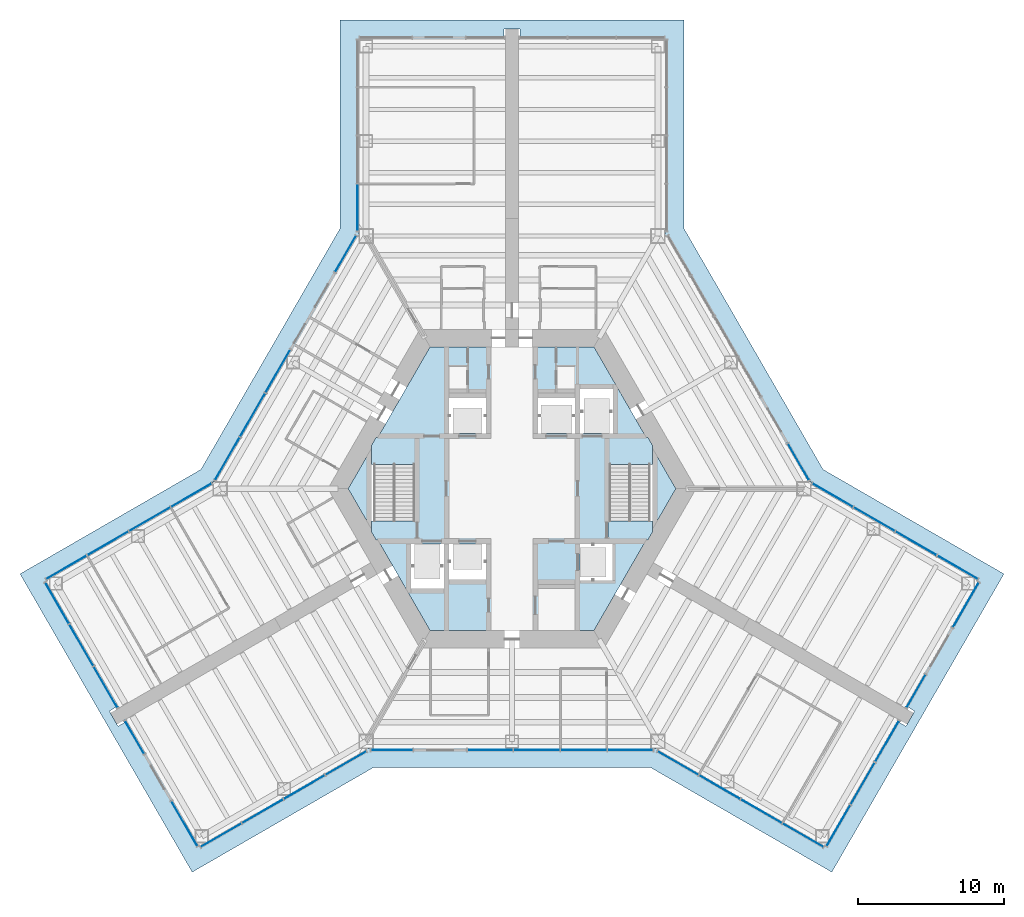
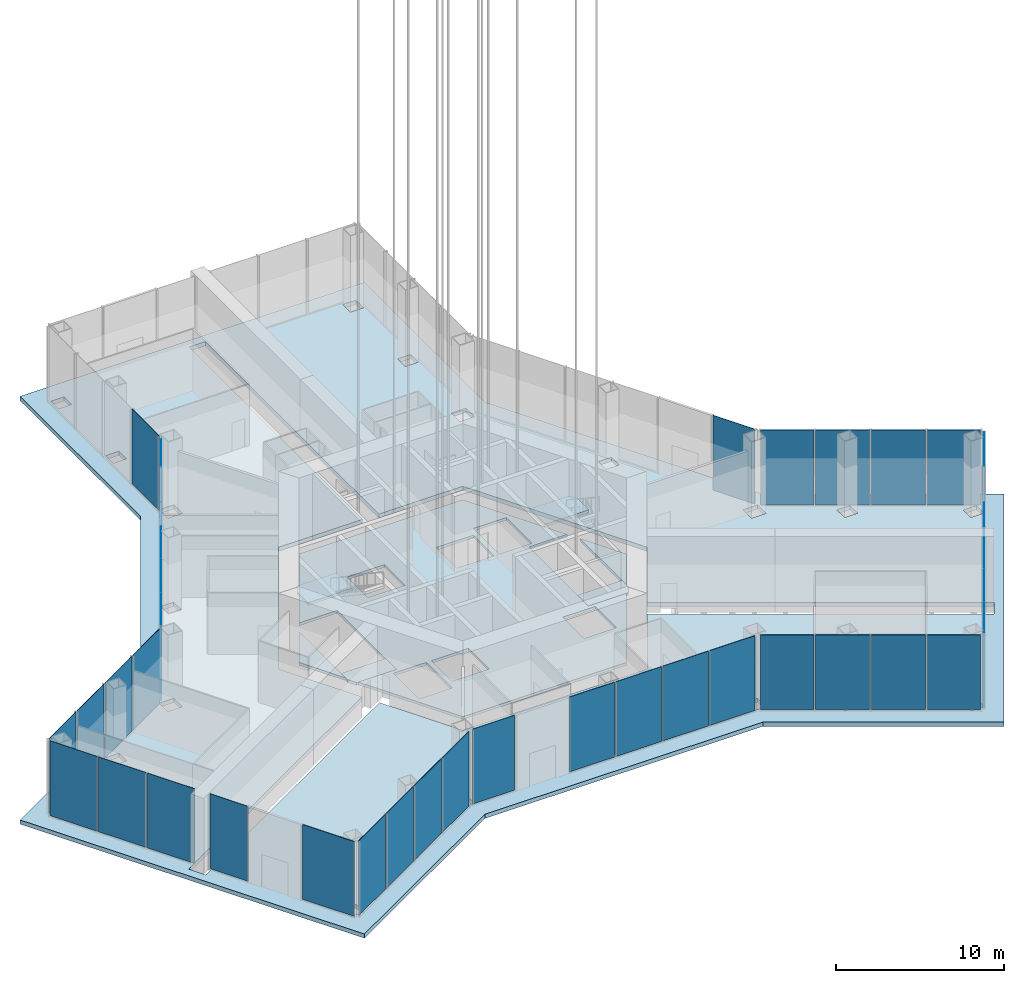
# One storey, part 8 of 18: 37 plates, 8 slabs, 18 elements without a shape of their own.
"""IFC4 building model written with IfcOpenShell, lengths in metres."""

from ifc_helpers import new_model, si_unit, direction, frame, origin, origin_2d, place, context, subcontext, project, spatial, polyline, rectangle, outline, extrude, material, layer, layer_set, type_object, element, aggregate, save


model = new_model("IFC4")

# Units and contexts
model_context = context("Model", 3, precision=1e-05, world=origin(), true_north=direction((0.0, 1.0)))
body_context = subcontext(model_context, "Body", "Model", "MODEL_VIEW")
ifc_project = project(units=[si_unit("LENGTHUNIT", "METRE"), si_unit("AREAUNIT", "SQUARE_METRE"), si_unit("VOLUMEUNIT", "CUBIC_METRE"), si_unit("PLANEANGLEUNIT", "RADIAN"), si_unit("MASSUNIT", "GRAM", prefix="KILO")], contexts=[model_context])

# Site, building, storey
site_placement = place(None, origin())
site = spatial("IfcSite", under=ifc_project, at=site_placement, CompositionType="ELEMENT")
building_placement = place(site_placement, origin())
building = spatial("IfcBuilding", under=site, at=building_placement, Name="Kasaneha Research Tower", CompositionType="ELEMENT")
storey_placement = place(building_placement, origin())
storey = spatial("IfcBuildingStorey", under=building, at=storey_placement, Name="L01", CompositionType="ELEMENT", Elevation=0.0)

# Curtain wall, plates
ifc_material_1 = material(Name="Glass and aluminium", Category="aluminium")
curtain_wall_type = type_object("IfcCurtainWallType", Name="Entrance hall curtain wall", PredefinedType="USERDEFINED", material=ifc_material_1)
curtain_wall_1_placement = place(storey_placement, origin())
curtain_wall_1 = element("IfcCurtainWall", 1, at=curtain_wall_1_placement, inside=storey, type_object=curtain_wall_type, Name="CW-H L01 run 01a", ObjectType="UNITISED CURTAIN WALL", PredefinedType="USERDEFINED")
ifc_material_2 = material(Name="Laminated double glazing", Category="glass")
ifc_layer_1 = layer(ifc_material_2, 0.031982421875)
ifc_layer_set_1 = layer_set([ifc_layer_1], Name="CW-H glazed panel")
plate_type = type_object("IfcPlateType", Name="CW-H glazed panel", PredefinedType="CURTAIN_PANEL", material=ifc_layer_set_1)
plate_1_placement = place(storey_placement, frame((-19.94091796875, -23.752685546875, 0.080078125), z_axis=(0.0, 0.0, 1.0), x_axis=(0.866025411464, 0.499999986699, 0.0)))
plate_1 = element("IfcPlate", 2, at=plate_1_placement, type_object=plate_type, Name="CW-H panel 1", PredefinedType="CURTAIN_PANEL", context=body_context, shape_type="SweptSolid", body=[
    extrude(rectangle(XDim=3.189697265625, YDim=0.031982421875, at=origin_2d()), origin(), (0.0, 0.0, 1.0), 5.419921875),
])
plate_2_placement = place(storey_placement, frame((-17.091796875, -22.107666015625, 0.080078125), z_axis=(0.0, 0.0, 1.0), x_axis=(0.866025411464, 0.499999986699, 0.0)))
plate_2 = element("IfcPlate", 3, at=plate_2_placement, type_object=plate_type, Name="CW-H panel 2", PredefinedType="CURTAIN_PANEL", context=body_context, shape_type="SweptSolid", body=[
    extrude(rectangle(XDim=3.229736328125, YDim=0.031982421875, at=origin_2d()), origin(), (0.0, 0.0, 1.0), 5.419921875),
])
plate_3_placement = place(storey_placement, frame((-14.225341796875, -20.452880859375, 0.080078125), z_axis=(0.0, 0.0, 1.0), x_axis=(0.866025411464, 0.499999986699, 0.0)))
plate_3 = element("IfcPlate", 4, at=plate_3_placement, type_object=plate_type, Name="CW-H panel 3", PredefinedType="CURTAIN_PANEL", context=body_context, shape_type="SweptSolid", body=[
    extrude(rectangle(XDim=3.229736328125, YDim=0.031982421875, at=origin_2d()), origin(), (0.0, 0.0, 1.0), 5.419921875),
])
plate_4_placement = place(storey_placement, frame((-11.376220703125, -18.807861328125, 0.080078125), z_axis=(0.0, 0.0, 1.0), x_axis=(0.866025411464, 0.499999986699, 0.0)))
plate_4 = element("IfcPlate", 5, at=plate_4_placement, type_object=plate_type, Name="CW-H panel 4", PredefinedType="CURTAIN_PANEL", context=body_context, shape_type="SweptSolid", body=[
    extrude(rectangle(XDim=3.189697265625, YDim=0.031982421875, at=origin_2d()), origin(), (0.0, 0.0, 1.0), 5.419921875),
])
aggregate(curtain_wall_1, [plate_1, plate_2, plate_3, plate_4])

# Curtain wall, plate
curtain_wall_2_placement = place(storey_placement, origin())
curtain_wall_2 = element("IfcCurtainWall", 6, at=curtain_wall_2_placement, inside=storey, type_object=curtain_wall_type, Name="CW-H L01 run 02a", ObjectType="UNITISED CURTAIN WALL", PredefinedType="USERDEFINED")
plate_5_placement = place(storey_placement, frame((-8.2294921875, -17.92041015625, 0.080078125), z_axis=(0.0, 0.0, 1.0), x_axis=(1.0, 0.0, 0.0)))
plate_5 = element("IfcPlate", 7, at=plate_5_placement, type_object=plate_type, Name="CW-H panel 1", PredefinedType="CURTAIN_PANEL", context=body_context, shape_type="SweptSolid", body=[
    extrude(rectangle(XDim=2.859619140625, YDim=0.031982421875, at=origin_2d()), origin(), (0.0, 0.0, 1.0), 5.419921875),
])
aggregate(curtain_wall_2, [plate_5])

# Curtain wall, plates
curtain_wall_3_placement = place(storey_placement, origin())
curtain_wall_3 = element("IfcCurtainWall", 8, at=curtain_wall_3_placement, inside=storey, type_object=curtain_wall_type, Name="CW-H L01 run 02c", ObjectType="UNITISED CURTAIN WALL", PredefinedType="USERDEFINED")
plate_6_placement = place(storey_placement, frame((-1.4921875, -17.92041015625, 0.080078125), z_axis=(0.0, 0.0, 1.0), x_axis=(1.0, 0.0, 0.0)))
plate_6 = element("IfcPlate", 9, at=plate_6_placement, type_object=plate_type, Name="CW-H panel 1", PredefinedType="CURTAIN_PANEL", context=body_context, shape_type="SweptSolid", body=[
    extrude(rectangle(XDim=3.0947265625, YDim=0.031982421875, at=origin_2d()), origin(), (0.0, 0.0, 1.0), 5.419921875),
])
plate_7_placement = place(storey_placement, frame((1.702392578125, -17.92041015625, 0.080078125), z_axis=(0.0, 0.0, 1.0), x_axis=(1.0, 0.0, 0.0)))
plate_7 = element("IfcPlate", 10, at=plate_7_placement, type_object=plate_type, Name="CW-H panel 2", PredefinedType="CURTAIN_PANEL", context=body_context, shape_type="SweptSolid", body=[
    extrude(rectangle(XDim=3.134765625, YDim=0.031982421875, at=origin_2d()), origin(), (0.0, 0.0, 1.0), 5.419921875),
])
plate_8_placement = place(storey_placement, frame((4.917236328125, -17.92041015625, 0.080078125), z_axis=(0.0, 0.0, 1.0), x_axis=(1.0, 0.0, 0.0)))
plate_8 = element("IfcPlate", 11, at=plate_8_placement, type_object=plate_type, Name="CW-H panel 3", PredefinedType="CURTAIN_PANEL", context=body_context, shape_type="SweptSolid", body=[
    extrude(rectangle(XDim=3.134765625, YDim=0.031982421875, at=origin_2d()), origin(), (0.0, 0.0, 1.0), 5.419921875),
])
plate_9_placement = place(storey_placement, frame((8.11181640625, -17.92041015625, 0.080078125), z_axis=(0.0, 0.0, 1.0), x_axis=(1.0, 0.0, 0.0)))
plate_9 = element("IfcPlate", 12, at=plate_9_placement, type_object=plate_type, Name="CW-H panel 4", PredefinedType="CURTAIN_PANEL", context=body_context, shape_type="SweptSolid", body=[
    extrude(rectangle(XDim=3.0947265625, YDim=0.031982421875, at=origin_2d()), origin(), (0.0, 0.0, 1.0), 5.419921875),
])
aggregate(curtain_wall_3, [plate_6, plate_7, plate_8, plate_9])

curtain_wall_4_placement = place(storey_placement, origin())
curtain_wall_4 = element("IfcCurtainWall", 13, at=curtain_wall_4_placement, inside=storey, type_object=curtain_wall_type, Name="CW-H L01 run 03a", ObjectType="UNITISED CURTAIN WALL", PredefinedType="USERDEFINED")
plate_10_placement = place(storey_placement, frame((11.376220703125, -18.807861328125, 0.080078125), z_axis=(0.0, 0.0, 1.0), x_axis=(0.866025411464, -0.499999986699, 0.0)))
plate_10 = element("IfcPlate", 14, at=plate_10_placement, type_object=plate_type, Name="CW-H panel 1", PredefinedType="CURTAIN_PANEL", context=body_context, shape_type="SweptSolid", body=[
    extrude(rectangle(XDim=3.189697265625, YDim=0.031982421875, at=origin_2d()), origin(), (0.0, 0.0, 1.0), 5.419921875),
])
plate_11_placement = place(storey_placement, frame((14.225341796875, -20.452880859375, 0.080078125), z_axis=(0.0, 0.0, 1.0), x_axis=(0.866025411464, -0.499999986699, 0.0)))
plate_11 = element("IfcPlate", 15, at=plate_11_placement, type_object=plate_type, Name="CW-H panel 2", PredefinedType="CURTAIN_PANEL", context=body_context, shape_type="SweptSolid", body=[
    extrude(rectangle(XDim=3.229736328125, YDim=0.031982421875, at=origin_2d()), origin(), (0.0, 0.0, 1.0), 5.419921875),
])
plate_12_placement = place(storey_placement, frame((17.091796875, -22.107666015625, 0.080078125), z_axis=(0.0, 0.0, 1.0), x_axis=(0.866025411464, -0.499999986699, 0.0)))
plate_12 = element("IfcPlate", 16, at=plate_12_placement, type_object=plate_type, Name="CW-H panel 3", PredefinedType="CURTAIN_PANEL", context=body_context, shape_type="SweptSolid", body=[
    extrude(rectangle(XDim=3.229736328125, YDim=0.031982421875, at=origin_2d()), origin(), (0.0, 0.0, 1.0), 5.419921875),
])
plate_13_placement = place(storey_placement, frame((19.94091796875, -23.752685546875, 0.080078125), z_axis=(0.0, 0.0, 1.0), x_axis=(0.866025411464, -0.499999986699, 0.0)))
plate_13 = element("IfcPlate", 17, at=plate_13_placement, type_object=plate_type, Name="CW-H panel 4", PredefinedType="CURTAIN_PANEL", context=body_context, shape_type="SweptSolid", body=[
    extrude(rectangle(XDim=3.189697265625, YDim=0.031982421875, at=origin_2d()), origin(), (0.0, 0.0, 1.0), 5.419921875),
])
aggregate(curtain_wall_4, [plate_10, plate_11, plate_12, plate_13])

curtain_wall_5_placement = place(storey_placement, origin())
curtain_wall_5 = element("IfcCurtainWall", 18, at=curtain_wall_5_placement, inside=storey, type_object=curtain_wall_type, Name="CW-H L01 run 04a", ObjectType="UNITISED CURTAIN WALL", PredefinedType="USERDEFINED")
plate_14_placement = place(storey_placement, frame((22.37548828125, -23.085693359375, 0.080078125), z_axis=(0.0, 0.0, 1.0), x_axis=(0.500000011442, 0.866025397178, 0.0)))
plate_14 = element("IfcPlate", 19, at=plate_14_placement, type_object=plate_type, Name="CW-H panel 1", PredefinedType="CURTAIN_PANEL", context=body_context, shape_type="SweptSolid", body=[
    extrude(rectangle(XDim=3.22998046875, YDim=0.031982421875, at=origin_2d()), origin(), (0.0, 0.0, 1.0), 5.419921875),
])
plate_15_placement = place(storey_placement, frame((24.04052734375, -20.20166015625, 0.080078125), z_axis=(0.0, 0.0, 1.0), x_axis=(0.500000011442, 0.866025397178, 0.0)))
plate_15 = element("IfcPlate", 20, at=plate_15_placement, type_object=plate_type, Name="CW-H panel 2", PredefinedType="CURTAIN_PANEL", context=body_context, shape_type="SweptSolid", body=[
    extrude(rectangle(XDim=3.27001953125, YDim=0.031982421875, at=origin_2d()), origin(), (0.0, 0.0, 1.0), 5.419921875),
])
plate_16_placement = place(storey_placement, frame((25.70556640625, -17.31787109375, 0.080078125), z_axis=(0.0, 0.0, 1.0), x_axis=(0.500000011442, 0.866025397178, 0.0)))
plate_16 = element("IfcPlate", 21, at=plate_16_placement, type_object=plate_type, Name="CW-H panel 3", PredefinedType="CURTAIN_PANEL", context=body_context, shape_type="SweptSolid", body=[
    extrude(rectangle(XDim=3.22998046875, YDim=0.031982421875, at=origin_2d()), origin(), (0.0, 0.0, 1.0), 5.419921875),
])
aggregate(curtain_wall_5, [plate_14, plate_15, plate_16])

# Curtain wall, plate
curtain_wall_6_placement = place(storey_placement, origin())
curtain_wall_6 = element("IfcCurtainWall", 22, at=curtain_wall_6_placement, inside=storey, type_object=curtain_wall_type, Name="CW-H L01 run 05a", ObjectType="UNITISED CURTAIN WALL", PredefinedType="USERDEFINED")
plate_17_placement = place(storey_placement, frame((27.6904296875, -13.879638671875, 0.080078125), z_axis=(0.0, 0.0, 1.0), x_axis=(0.500000011442, 0.866025397178, 0.0)))
plate_17 = element("IfcPlate", 23, at=plate_17_placement, type_object=plate_type, Name="CW-H panel 1", PredefinedType="CURTAIN_PANEL", context=body_context, shape_type="SweptSolid", body=[
    extrude(rectangle(XDim=2.590087890625, YDim=0.031982421875, at=origin_2d()), origin(), (0.0, 0.0, 1.0), 5.419921875),
])
aggregate(curtain_wall_6, [plate_17])

curtain_wall_7_placement = place(storey_placement, origin())
curtain_wall_7 = element("IfcCurtainWall", 24, at=curtain_wall_7_placement, inside=storey, type_object=curtain_wall_type, Name="CW-H L01 run 05c", ObjectType="UNITISED CURTAIN WALL", PredefinedType="USERDEFINED")
plate_18_placement = place(storey_placement, frame((31.10302734375, -7.96923828125, 0.080078125), z_axis=(0.0, 0.0, 1.0), x_axis=(0.500000011442, 0.866025397178, 0.0)))
plate_18 = element("IfcPlate", 25, at=plate_18_placement, type_object=plate_type, Name="CW-H panel 1", PredefinedType="CURTAIN_PANEL", context=body_context, shape_type="SweptSolid", body=[
    extrude(rectangle(XDim=3.5400390625, YDim=0.031982421875, at=origin_2d()), origin(), (0.0, 0.0, 1.0), 5.419921875),
])
aggregate(curtain_wall_7, [plate_18])

# Curtain wall, plates
curtain_wall_8_placement = place(storey_placement, origin())
curtain_wall_8 = element("IfcCurtainWall", 26, at=curtain_wall_8_placement, inside=storey, type_object=curtain_wall_type, Name="CW-H L01 run 06a", ObjectType="UNITISED CURTAIN WALL", PredefinedType="USERDEFINED")
plate_19_placement = place(storey_placement, frame((30.540771484375, -5.392822265625, 0.080078125), z_axis=(0.0, 0.0, 1.0), x_axis=(-0.866025411464, 0.499999986699, 0.0)))
plate_19 = element("IfcPlate", 27, at=plate_19_placement, type_object=plate_type, Name="CW-H panel 1", PredefinedType="CURTAIN_PANEL", context=body_context, shape_type="SweptSolid", body=[
    extrude(rectangle(XDim=3.189697265625, YDim=0.031982421875, at=origin_2d()), origin(), (0.0, 0.0, 1.0), 5.419921875),
])
plate_20_placement = place(storey_placement, frame((27.69189453125, -3.748046875, 0.080078125), z_axis=(0.0, 0.0, 1.0), x_axis=(-0.866025411464, 0.499999986699, 0.0)))
plate_20 = element("IfcPlate", 28, at=plate_20_placement, type_object=plate_type, Name="CW-H panel 2", PredefinedType="CURTAIN_PANEL", context=body_context, shape_type="SweptSolid", body=[
    extrude(rectangle(XDim=3.229736328125, YDim=0.031982421875, at=origin_2d()), origin(), (0.0, 0.0, 1.0), 5.419921875),
])
plate_21_placement = place(storey_placement, frame((24.825439453125, -2.093017578125, 0.080078125), z_axis=(0.0, 0.0, 1.0), x_axis=(-0.866025411464, 0.499999986699, 0.0)))
plate_21 = element("IfcPlate", 29, at=plate_21_placement, type_object=plate_type, Name="CW-H panel 3", PredefinedType="CURTAIN_PANEL", context=body_context, shape_type="SweptSolid", body=[
    extrude(rectangle(XDim=3.229736328125, YDim=0.031982421875, at=origin_2d()), origin(), (0.0, 0.0, 1.0), 5.419921875),
])
plate_22_placement = place(storey_placement, frame((21.976318359375, -0.4482421875, 0.080078125), z_axis=(0.0, 0.0, 1.0), x_axis=(-0.866025411464, 0.499999986699, 0.0)))
plate_22 = element("IfcPlate", 30, at=plate_22_placement, type_object=plate_type, Name="CW-H panel 4", PredefinedType="CURTAIN_PANEL", context=body_context, shape_type="SweptSolid", body=[
    extrude(rectangle(XDim=3.189697265625, YDim=0.031982421875, at=origin_2d()), origin(), (0.0, 0.0, 1.0), 5.419921875),
])
aggregate(curtain_wall_8, [plate_19, plate_20, plate_21, plate_22])

# Curtain wall, plate
curtain_wall_9_placement = place(storey_placement, origin())
curtain_wall_9 = element("IfcCurtainWall", 31, at=curtain_wall_9_placement, inside=storey, type_object=curtain_wall_type, Name="CW-H L01 run 07a", ObjectType="UNITISED CURTAIN WALL", PredefinedType="USERDEFINED")
plate_23_placement = place(storey_placement, frame((19.63427734375, 1.833251953125, 0.080078125), z_axis=(0.0, 0.0, 1.0), x_axis=(-0.49999996188, 0.866025425793, 0.0)))
plate_23 = element("IfcPlate", 32, at=plate_23_placement, type_object=plate_type, Name="CW-H panel 1", PredefinedType="CURTAIN_PANEL", context=body_context, shape_type="SweptSolid", body=[
    extrude(rectangle(XDim=2.859619140625, YDim=0.031982421875, at=origin_2d()), origin(), (0.0, 0.0, 1.0), 5.419921875),
])
aggregate(curtain_wall_9, [plate_23])

curtain_wall_10_placement = place(storey_placement, origin())
curtain_wall_10 = element("IfcCurtainWall", 33, at=curtain_wall_10_placement, inside=storey, type_object=curtain_wall_type, Name="CW-H L01 run 11a", ObjectType="UNITISED CURTAIN WALL", PredefinedType="USERDEFINED")
plate_24_placement = place(storey_placement, frame((-10.60009765625, 19.256103515625, 0.080078125), z_axis=(0.0, 0.0, 1.0), x_axis=(0.0, -1.0, 0.0)))
plate_24 = element("IfcPlate", 34, at=plate_24_placement, type_object=plate_type, Name="CW-H panel 4", PredefinedType="CURTAIN_PANEL", context=body_context, shape_type="SweptSolid", body=[
    extrude(rectangle(XDim=3.189697265625, YDim=0.031982421875, at=origin_2d()), origin(), (0.0, 0.0, 1.0), 5.419921875),
])
aggregate(curtain_wall_10, [plate_24])

curtain_wall_11_placement = place(storey_placement, origin())
curtain_wall_11 = element("IfcCurtainWall", 35, at=curtain_wall_11_placement, inside=storey, type_object=curtain_wall_type, Name="CW-H L01 run 12a", ObjectType="UNITISED CURTAIN WALL", PredefinedType="USERDEFINED")
plate_25_placement = place(storey_placement, frame((-11.40478515625, 16.087158203125, 0.080078125), z_axis=(0.0, 0.0, 1.0), x_axis=(-0.49999996188, -0.866025425793, 0.0)))
plate_25 = element("IfcPlate", 36, at=plate_25_placement, type_object=plate_type, Name="CW-H panel 1", PredefinedType="CURTAIN_PANEL", context=body_context, shape_type="SweptSolid", body=[
    extrude(rectangle(XDim=2.859619140625, YDim=0.031982421875, at=origin_2d()), origin(), (0.0, 0.0, 1.0), 5.419921875),
])
aggregate(curtain_wall_11, [plate_25])

# Curtain wall, plates
curtain_wall_12_placement = place(storey_placement, origin())
curtain_wall_12 = element("IfcCurtainWall", 37, at=curtain_wall_12_placement, inside=storey, type_object=curtain_wall_type, Name="CW-H L01 run 12d", ObjectType="UNITISED CURTAIN WALL", PredefinedType="USERDEFINED")
plate_26_placement = place(storey_placement, frame((-16.041259765625, 8.056884765625, 0.080078125), z_axis=(0.0, 0.0, 1.0), x_axis=(-0.49999996188, -0.866025425793, 0.0)))
plate_26 = element("IfcPlate", 38, at=plate_26_placement, type_object=plate_type, Name="CW-H panel 1", PredefinedType="CURTAIN_PANEL", context=body_context, shape_type="SweptSolid", body=[
    extrude(rectangle(XDim=3.366455078125, YDim=0.031982421875, at=origin_2d()), origin(), (0.0, 0.0, 1.0), 5.419921875),
])
plate_27_placement = place(storey_placement, frame((-17.7744140625, 5.054931640625, 0.080078125), z_axis=(0.0, 0.0, 1.0), x_axis=(-0.49999996188, -0.866025425793, 0.0)))
plate_27 = element("IfcPlate", 39, at=plate_27_placement, type_object=plate_type, Name="CW-H panel 2", PredefinedType="CURTAIN_PANEL", context=body_context, shape_type="SweptSolid", body=[
    extrude(rectangle(XDim=3.406494140625, YDim=0.031982421875, at=origin_2d()), origin(), (0.0, 0.0, 1.0), 5.419921875),
])
plate_28_placement = place(storey_placement, frame((-19.507568359375, 2.052734375, 0.080078125), z_axis=(0.0, 0.0, 1.0), x_axis=(-0.49999996188, -0.866025425793, 0.0)))
plate_28 = element("IfcPlate", 40, at=plate_28_placement, type_object=plate_type, Name="CW-H panel 3", PredefinedType="CURTAIN_PANEL", context=body_context, shape_type="SweptSolid", body=[
    extrude(rectangle(XDim=3.366455078125, YDim=0.031982421875, at=origin_2d()), origin(), (0.0, 0.0, 1.0), 5.419921875),
])
aggregate(curtain_wall_12, [plate_26, plate_27, plate_28])

curtain_wall_13_placement = place(storey_placement, origin())
curtain_wall_13 = element("IfcCurtainWall", 41, at=curtain_wall_13_placement, inside=storey, type_object=curtain_wall_type, Name="CW-H L01 run 13a", ObjectType="UNITISED CURTAIN WALL", PredefinedType="USERDEFINED")
plate_29_placement = place(storey_placement, frame((-21.976318359375, -0.4482421875, 0.080078125), z_axis=(0.0, 0.0, 1.0), x_axis=(-0.866025411464, -0.499999986699, 0.0)))
plate_29 = element("IfcPlate", 42, at=plate_29_placement, type_object=plate_type, Name="CW-H panel 1", PredefinedType="CURTAIN_PANEL", context=body_context, shape_type="SweptSolid", body=[
    extrude(rectangle(XDim=3.189697265625, YDim=0.031982421875, at=origin_2d()), origin(), (0.0, 0.0, 1.0), 5.419921875),
])
plate_30_placement = place(storey_placement, frame((-24.825439453125, -2.093017578125, 0.080078125), z_axis=(0.0, 0.0, 1.0), x_axis=(-0.866025411464, -0.499999986699, 0.0)))
plate_30 = element("IfcPlate", 43, at=plate_30_placement, type_object=plate_type, Name="CW-H panel 2", PredefinedType="CURTAIN_PANEL", context=body_context, shape_type="SweptSolid", body=[
    extrude(rectangle(XDim=3.229736328125, YDim=0.031982421875, at=origin_2d()), origin(), (0.0, 0.0, 1.0), 5.419921875),
])
plate_31_placement = place(storey_placement, frame((-27.69189453125, -3.748046875, 0.080078125), z_axis=(0.0, 0.0, 1.0), x_axis=(-0.866025411464, -0.499999986699, 0.0)))
plate_31 = element("IfcPlate", 44, at=plate_31_placement, type_object=plate_type, Name="CW-H panel 3", PredefinedType="CURTAIN_PANEL", context=body_context, shape_type="SweptSolid", body=[
    extrude(rectangle(XDim=3.229736328125, YDim=0.031982421875, at=origin_2d()), origin(), (0.0, 0.0, 1.0), 5.419921875),
])
plate_32_placement = place(storey_placement, frame((-30.540771484375, -5.392822265625, 0.080078125), z_axis=(0.0, 0.0, 1.0), x_axis=(-0.866025411464, -0.499999986699, 0.0)))
plate_32 = element("IfcPlate", 45, at=plate_32_placement, type_object=plate_type, Name="CW-H panel 4", PredefinedType="CURTAIN_PANEL", context=body_context, shape_type="SweptSolid", body=[
    extrude(rectangle(XDim=3.189697265625, YDim=0.031982421875, at=origin_2d()), origin(), (0.0, 0.0, 1.0), 5.419921875),
])
aggregate(curtain_wall_13, [plate_29, plate_30, plate_31, plate_32])

curtain_wall_14_placement = place(storey_placement, origin())
curtain_wall_14 = element("IfcCurtainWall", 46, at=curtain_wall_14_placement, inside=storey, type_object=curtain_wall_type, Name="CW-H L01 run 14a", ObjectType="UNITISED CURTAIN WALL", PredefinedType="USERDEFINED")
plate_33_placement = place(storey_placement, frame((-31.180419921875, -7.8349609375, 0.080078125), z_axis=(0.0, 0.0, 1.0), x_axis=(0.500000011442, -0.866025397178, 0.0)))
plate_33 = element("IfcPlate", 47, at=plate_33_placement, type_object=plate_type, Name="CW-H panel 1", PredefinedType="CURTAIN_PANEL", context=body_context, shape_type="SweptSolid", body=[
    extrude(rectangle(XDim=3.22998046875, YDim=0.031982421875, at=origin_2d()), origin(), (0.0, 0.0, 1.0), 5.419921875),
])
plate_34_placement = place(storey_placement, frame((-29.515380859375, -10.71875, 0.080078125), z_axis=(0.0, 0.0, 1.0), x_axis=(0.500000011442, -0.866025397178, 0.0)))
plate_34 = element("IfcPlate", 48, at=plate_34_placement, type_object=plate_type, Name="CW-H panel 2", PredefinedType="CURTAIN_PANEL", context=body_context, shape_type="SweptSolid", body=[
    extrude(rectangle(XDim=3.27001953125, YDim=0.031982421875, at=origin_2d()), origin(), (0.0, 0.0, 1.0), 5.419921875),
])
plate_35_placement = place(storey_placement, frame((-27.850341796875, -13.6025390625, 0.080078125), z_axis=(0.0, 0.0, 1.0), x_axis=(0.500000011442, -0.866025397178, 0.0)))
plate_35 = element("IfcPlate", 49, at=plate_35_placement, type_object=plate_type, Name="CW-H panel 3", PredefinedType="CURTAIN_PANEL", context=body_context, shape_type="SweptSolid", body=[
    extrude(rectangle(XDim=3.22998046875, YDim=0.031982421875, at=origin_2d()), origin(), (0.0, 0.0, 1.0), 5.419921875),
])
aggregate(curtain_wall_14, [plate_33, plate_34, plate_35])

# Curtain wall, plate
curtain_wall_15_placement = place(storey_placement, origin())
curtain_wall_15 = element("IfcCurtainWall", 50, at=curtain_wall_15_placement, inside=storey, type_object=curtain_wall_type, Name="CW-H L01 run 15a", ObjectType="UNITISED CURTAIN WALL", PredefinedType="USERDEFINED")
plate_36_placement = place(storey_placement, frame((-25.865478515625, -17.040771484375, 0.080078125), z_axis=(0.0, 0.0, 1.0), x_axis=(0.500000011442, -0.866025397178, 0.0)))
plate_36 = element("IfcPlate", 51, at=plate_36_placement, type_object=plate_type, Name="CW-H panel 1", PredefinedType="CURTAIN_PANEL", context=body_context, shape_type="SweptSolid", body=[
    extrude(rectangle(XDim=2.590087890625, YDim=0.031982421875, at=origin_2d()), origin(), (0.0, 0.0, 1.0), 5.419921875),
])
aggregate(curtain_wall_15, [plate_36])

curtain_wall_16_placement = place(storey_placement, origin())
curtain_wall_16 = element("IfcCurtainWall", 52, at=curtain_wall_16_placement, inside=storey, type_object=curtain_wall_type, Name="CW-H L01 run 15c", ObjectType="UNITISED CURTAIN WALL", PredefinedType="USERDEFINED")
plate_37_placement = place(storey_placement, frame((-22.452880859375, -22.951416015625, 0.080078125), z_axis=(0.0, 0.0, 1.0), x_axis=(0.500000011442, -0.866025397178, 0.0)))
plate_37 = element("IfcPlate", 53, at=plate_37_placement, type_object=plate_type, Name="CW-H panel 1", PredefinedType="CURTAIN_PANEL", context=body_context, shape_type="SweptSolid", body=[
    extrude(rectangle(XDim=3.5400390625, YDim=0.031982421875, at=origin_2d()), origin(), (0.0, 0.0, 1.0), 5.419921875),
])
aggregate(curtain_wall_16, [plate_37])

# Slabs
ifc_material_3 = material(Name="Concrete Fc24", Category="concrete")
ifc_layer_2 = layer(ifc_material_3, 0.199951171875)
ifc_layer_set_2 = layer_set([ifc_layer_2], Name="Core floor slab 200")
slab_type_1 = type_object("IfcSlabType", Name="Core floor slab 200", PredefinedType="FLOOR", material=ifc_layer_set_2)
slab_1_placement = place(storey_placement, frame((0.0, 0.0, -0.199951171875)))
element("IfcSlab", 54, at=slab_1_placement, inside=storey, type_object=slab_type_1, Name="Core slab L01", PredefinedType="FLOOR", context=body_context, shape_type="SweptSolid", body=[
    extrude(outline(polyline([(-11.2294921875, 0.0), (-9.625, 2.779052734375), (-9.625, -2.779052734375), (-11.2294921875, 0.0)])), origin(), (0.0, 0.0, 1.0), 0.199951171875),
])
slab_2_placement = place(storey_placement, frame((0.0, 0.0, -0.199951171875)))
element("IfcSlab", 55, at=slab_2_placement, inside=storey, type_object=slab_type_1, Name="Core slab L01", PredefinedType="FLOOR", context=body_context, shape_type="SweptSolid", body=[
    extrude(outline(polyline([(-5.61474609375, 9.72509765625), (5.61474609375, 9.72509765625), (9.1943359375, 3.52490234375), (6.574951171875, 3.52490234375), (6.574951171875, -3.52490234375), (9.1943359375, -3.52490234375), (5.61474609375, -9.72509765625), (-5.61474609375, -9.72509765625), (-9.1943359375, -3.52490234375), (-6.574951171875, -3.52490234375), (-6.574951171875, 3.52490234375), (-9.1943359375, 3.52490234375), (-5.61474609375, 9.72509765625)]), holes=[polyline([(-6.925048828125, -3.77490234375), (-6.925048828125, -6.824951171875), (-4.675048828125, -6.824951171875), (-4.675048828125, -3.77490234375), (-6.925048828125, -3.77490234375)]), polyline([(4.675048828125, -3.77490234375), (4.675048828125, -6.300048828125), (6.89990234375, -6.300048828125), (6.89990234375, -3.77490234375), (4.675048828125, -3.77490234375)]), polyline([(-4.324951171875, -3.77490234375), (-4.324951171875, -6.22509765625), (-1.77490234375, -6.22509765625), (-1.77490234375, -3.77490234375), (-4.324951171875, -3.77490234375)]), polyline([(-4.324951171875, 6.22509765625), (-4.324951171875, 3.77490234375), (-1.77490234375, 3.77490234375), (-1.77490234375, 6.22509765625), (-4.324951171875, 6.22509765625)]), polyline([(1.77490234375, 6.22509765625), (1.77490234375, 3.77490234375), (4.324951171875, 3.77490234375), (4.324951171875, 6.22509765625), (1.77490234375, 6.22509765625)]), polyline([(4.675048828125, 6.824951171875), (4.675048828125, 3.77490234375), (6.925048828125, 3.77490234375), (6.925048828125, 6.824951171875), (4.675048828125, 6.824951171875)])]), origin(), (0.0, 0.0, 1.0), 0.199951171875),
])
slab_3_placement = place(storey_placement, frame((0.0, 0.0, -0.199951171875)))
element("IfcSlab", 56, at=slab_3_placement, inside=storey, type_object=slab_type_1, Name="Core slab L01", PredefinedType="FLOOR", context=body_context, shape_type="SweptSolid", body=[
    extrude(outline(polyline([(11.2294921875, 0.0), (9.625, -2.779052734375), (9.625, 2.779052734375), (11.2294921875, 0.0)])), origin(), (0.0, 0.0, 1.0), 0.199951171875),
])
ifc_material_4 = material(Name="Concrete Fc24", Category="concrete")
ifc_layer_3 = layer(ifc_material_4, 0.300048828125)
ifc_layer_set_3 = layer_set([ifc_layer_3], Name="Floor slab 300")
slab_type_2 = type_object("IfcSlabType", Name="Floor slab 300", PredefinedType="FLOOR", material=ifc_layer_set_3)
slab_4_placement = place(storey_placement, frame((0.0, 0.0, -0.300048828125)))
element("IfcSlab", 57, at=slab_4_placement, inside=storey, type_object=slab_type_2, Name="Floor slab L01 1", PredefinedType="FLOOR", context=body_context, shape_type="SweptSolid", body=[
    extrude(outline(polyline([(-21.317626953125, 1.317626953125), (-11.800048828125, 17.802734375), (-11.800048828125, 32.12060546875), (11.800048828125, 32.12060546875), (11.800048828125, 17.802734375), (21.317626953125, 1.317626953125), (33.71728515625, -5.841064453125), (21.917236328125, -26.279296875), (9.517578125, -19.12060546875), (-9.517578125, -19.12060546875), (-21.917236328125, -26.279296875), (-33.71728515625, -5.841064453125), (-21.317626953125, 1.317626953125)]), holes=[polyline([(-20.808349609375, -23.37060546875), (-21.708251953125, -23.37060546875), (-21.708251953125, -24.2705078125), (-20.808349609375, -24.2705078125), (-20.808349609375, -23.37060546875)]), polyline([(-15.17919921875, -21.0205078125), (-15.17919921875, -20.12060546875), (-16.0791015625, -20.12060546875), (-16.0791015625, -21.0205078125), (-15.17919921875, -21.0205078125)]), polyline([(0.449951171875, -17.7705078125), (0.449951171875, -16.87060546875), (-0.449951171875, -16.87060546875), (-0.449951171875, -17.7705078125), (0.449951171875, -17.7705078125)]), polyline([(-9.5, -16.820556640625), (-10.5, -16.820556640625), (-10.5, -17.820556640625), (-9.5, -17.820556640625), (-9.5, -16.820556640625)]), polyline([(-9.161376953125, -5.982177734375), (-6.3076171875, -10.925048828125), (6.3076171875, -10.925048828125), (9.161376953125, -5.982177734375), (26.99755859375, -16.27978515625), (27.59765625, -15.24072265625), (9.76123046875, -4.94287109375), (12.614990234375, 0.0), (6.3076171875, 10.925048828125), (0.550048828125, 10.925048828125), (0.550048828125, 31.5205078125), (-0.550048828125, 31.5205078125), (-0.550048828125, 10.925048828125), (-6.3076171875, 10.925048828125), (-12.614990234375, 0.0), (-9.76123046875, -4.94287109375), (-27.59765625, -15.24072265625), (-26.99755859375, -16.27978515625), (-9.161376953125, -5.982177734375)]), polyline([(-30.808349609375, -6.949951171875), (-30.808349609375, -6.050048828125), (-31.708251953125, -6.050048828125), (-31.708251953125, -6.949951171875), (-30.808349609375, -6.949951171875)]), polyline([(-25.17919921875, -2.800048828125), (-26.0791015625, -2.800048828125), (-26.0791015625, -3.699951171875), (-25.17919921875, -3.699951171875), (-25.17919921875, -2.800048828125)]), polyline([(-19.5, -0.5), (-19.5, 0.5), (-20.5, 0.5), (-20.5, -0.5), (-19.5, -0.5)]), polyline([(-14.550048828125, 8.210205078125), (-14.550048828125, 9.1103515625), (-15.449951171875, 9.1103515625), (-15.449951171875, 8.210205078125), (-14.550048828125, 8.210205078125)]), polyline([(-9.5, 17.820556640625), (-10.5, 17.820556640625), (-10.5, 16.820556640625), (-9.5, 16.820556640625), (-9.5, 17.820556640625)]), polyline([(-9.550048828125, 23.37060546875), (-9.550048828125, 24.2705078125), (-10.449951171875, 24.2705078125), (-10.449951171875, 23.37060546875), (-9.550048828125, 23.37060546875)]), polyline([(-9.550048828125, 30.7705078125), (-10.449951171875, 30.7705078125), (-10.449951171875, 29.87060546875), (-9.550048828125, 29.87060546875), (-9.550048828125, 30.7705078125)]), polyline([(21.708251953125, -24.2705078125), (21.708251953125, -23.37060546875), (20.808349609375, -23.37060546875), (20.808349609375, -24.2705078125), (21.708251953125, -24.2705078125)]), polyline([(15.213134765625, -20.5205078125), (15.213134765625, -19.62060546875), (14.313232421875, -19.62060546875), (14.313232421875, -20.5205078125), (15.213134765625, -20.5205078125)]), polyline([(10.5, -16.820556640625), (9.5, -16.820556640625), (9.5, -17.820556640625), (10.5, -17.820556640625), (10.5, -16.820556640625)]), polyline([(31.708251953125, -6.949951171875), (31.708251953125, -6.050048828125), (30.808349609375, -6.050048828125), (30.808349609375, -6.949951171875), (31.708251953125, -6.949951171875)]), polyline([(25.213134765625, -2.300048828125), (24.313232421875, -2.300048828125), (24.313232421875, -3.199951171875), (25.213134765625, -3.199951171875), (25.213134765625, -2.300048828125)]), polyline([(20.5, -0.5), (20.5, 0.5), (19.5, 0.5), (19.5, -0.5), (20.5, -0.5)]), polyline([(15.449951171875, 8.210205078125), (15.449951171875, 9.1103515625), (14.550048828125, 9.1103515625), (14.550048828125, 8.210205078125), (15.449951171875, 8.210205078125)]), polyline([(10.5, 16.820556640625), (10.5, 17.820556640625), (9.5, 17.820556640625), (9.5, 16.820556640625), (10.5, 16.820556640625)]), polyline([(10.449951171875, 23.37060546875), (10.449951171875, 24.2705078125), (9.550048828125, 24.2705078125), (9.550048828125, 23.37060546875), (10.449951171875, 23.37060546875)]), polyline([(10.449951171875, 29.87060546875), (10.449951171875, 30.7705078125), (9.550048828125, 30.7705078125), (9.550048828125, 29.87060546875), (10.449951171875, 29.87060546875)])]), origin(), (0.0, 0.0, 1.0), 0.300048828125),
])

# Stair, slabs
ifc_material_5 = material(Name="Concrete Fc24", Category="concrete")
stair_type = type_object("IfcStairType", Name="Half-turn stair 32 risers", PredefinedType="HALF_TURN_STAIR", material=ifc_material_5)
stair_1_placement = place(storey_placement, origin())
stair_1 = element("IfcStair", 58, at=stair_1_placement, inside=storey, type_object=stair_type, Name="Stair 1 L01", PredefinedType="HALF_TURN_STAIR")
ifc_material_6 = material(Name="Concrete Fc24", Category="concrete")
ifc_layer_4 = layer(ifc_material_6, 0.199951171875)
ifc_layer_set_4 = layer_set([ifc_layer_4], Name="Stair 1 landing 200")
slab_type_3 = type_object("IfcSlabType", Name="Stair 1 landing 200", PredefinedType="LANDING", material=ifc_layer_set_4)
slab_5_placement = place(storey_placement, frame((0.0, 0.0, -0.199951171875)))
slab_5 = element("IfcSlab", 59, at=slab_5_placement, type_object=slab_type_3, Name="ST1-32R landing 1", PredefinedType="LANDING", context=body_context, shape_type="SweptSolid", body=[
    extrude(outline(polyline([(9.309814453125, -3.52490234375), (6.574951171875, -3.52490234375), (6.574951171875, -2.22509765625), (9.625, -2.22509765625), (9.625, -2.97900390625), (9.309814453125, -3.52490234375)])), origin(), (0.0, 0.0, 1.0), 0.199951171875),
])
slab_6_placement = place(storey_placement, frame((0.0, 0.0, 2.550048828125)))
slab_6 = element("IfcSlab", 60, at=slab_6_placement, type_object=slab_type_3, Name="ST1-32R landing 2", PredefinedType="LANDING", context=body_context, shape_type="SweptSolid", body=[
    extrude(outline(polyline([(6.574951171875, 3.52490234375), (9.309814453125, 3.52490234375), (9.625, 2.97900390625), (9.625, 1.675048828125), (6.574951171875, 1.675048828125), (6.574951171875, 3.52490234375)])), origin(), (0.0, 0.0, 1.0), 0.199951171875),
])
aggregate(stair_1, [slab_5, slab_6])

stair_2_placement = place(storey_placement, origin())
stair_2 = element("IfcStair", 61, at=stair_2_placement, inside=storey, type_object=stair_type, Name="Stair 2 L01", PredefinedType="HALF_TURN_STAIR")
ifc_material_7 = material(Name="Concrete Fc24", Category="concrete")
ifc_layer_5 = layer(ifc_material_7, 0.199951171875)
ifc_layer_set_5 = layer_set([ifc_layer_5], Name="Stair 2 landing 200")
slab_type_4 = type_object("IfcSlabType", Name="Stair 2 landing 200", PredefinedType="LANDING", material=ifc_layer_set_5)
slab_7_placement = place(storey_placement, frame((0.0, 0.0, -0.199951171875)))
slab_7 = element("IfcSlab", 62, at=slab_7_placement, type_object=slab_type_4, Name="ST2-32R landing 1", PredefinedType="LANDING", context=body_context, shape_type="SweptSolid", body=[
    extrude(outline(polyline([(-6.574951171875, -3.52490234375), (-9.309814453125, -3.52490234375), (-9.625, -2.97900390625), (-9.625, -2.22509765625), (-6.574951171875, -2.22509765625), (-6.574951171875, -3.52490234375)])), origin(), (0.0, 0.0, 1.0), 0.199951171875),
])
slab_8_placement = place(storey_placement, frame((0.0, 0.0, 2.550048828125)))
slab_8 = element("IfcSlab", 63, at=slab_8_placement, type_object=slab_type_4, Name="ST2-32R landing 2", PredefinedType="LANDING", context=body_context, shape_type="SweptSolid", body=[
    extrude(outline(polyline([(-6.574951171875, 1.675048828125), (-9.625, 1.675048828125), (-9.625, 2.97900390625), (-9.309814453125, 3.52490234375), (-6.574951171875, 3.52490234375), (-6.574951171875, 1.675048828125)])), origin(), (0.0, 0.0, 1.0), 0.199951171875),
])
aggregate(stair_2, [slab_7, slab_8])

save(model, "model.ifc")
